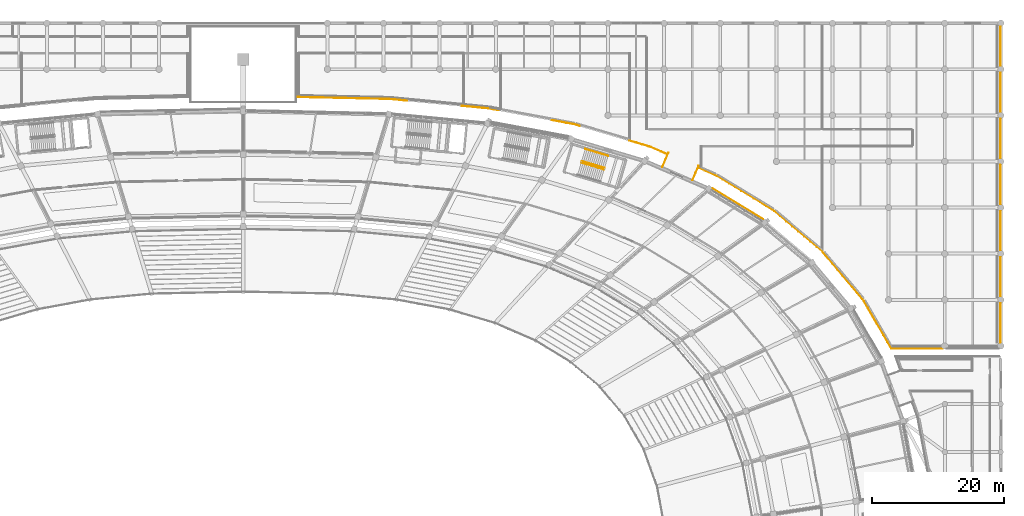
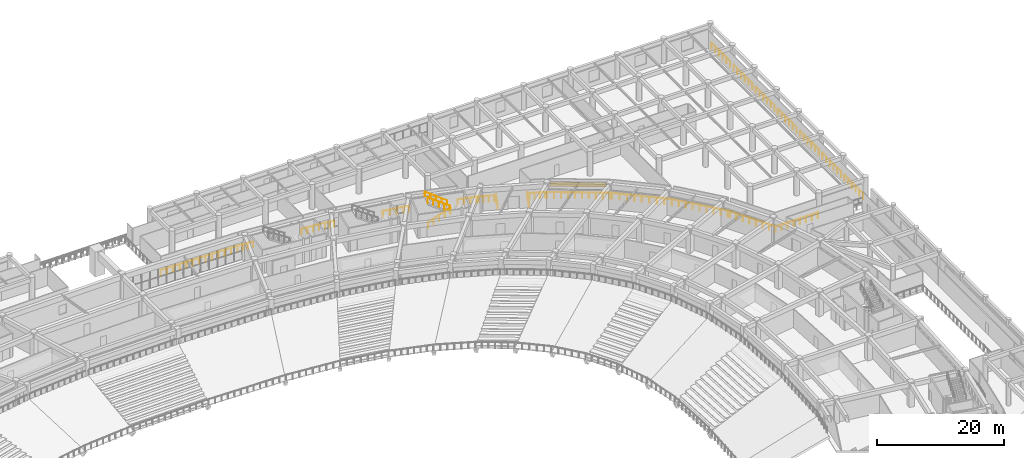
# One storey, part 152 of 152: 18 railings, 1 covering.
"""IFC4 building model written with IfcOpenShell, lengths in metres."""

from ifc_helpers import new_model, si_unit, direction, frame, origin, origin_2d, place, context, subcontext, project, spatial, rectangle, circle, extrude, material, layer, layer_set, type_object, element, save


model = new_model("IFC4")

# Units and contexts
model_context = context("Model", 3, precision=1e-05, world=origin(), true_north=direction((0.0, 1.0)))
body_context = subcontext(model_context, "Body", "Model", "MODEL_VIEW")
ifc_project = project(units=[si_unit("LENGTHUNIT", "METRE"), si_unit("AREAUNIT", "SQUARE_METRE"), si_unit("VOLUMEUNIT", "CUBIC_METRE"), si_unit("PLANEANGLEUNIT", "RADIAN"), si_unit("MASSUNIT", "GRAM", prefix="KILO")], contexts=[model_context])

# Site, building, storey
site_placement = place(None, origin())
site = spatial("IfcSite", under=ifc_project, at=site_placement, CompositionType="ELEMENT")
building_placement = place(site_placement, origin())
building = spatial("IfcBuilding", under=site, at=building_placement, Name="Mphavela Belvedere Stadium", CompositionType="ELEMENT")
storey_placement = place(building_placement, frame((0.0, 0.0, 5.39990234375)))
storey = spatial("IfcBuildingStorey", under=building, at=storey_placement, Name="L01", CompositionType="ELEMENT", Elevation=5.39990234375)

# Covering
ifc_material_1 = material(Name="Carved classical limestone entablature frieze cladding", Category="masonry")
ifc_layer = layer(ifc_material_1, 0.06005859375)
ifc_layer_set = layer_set([ifc_layer], Name="Carved classical limestone entablature frieze cladding")
covering_type = type_object("IfcCoveringType", Name="COV-FRIEZE-CLAD", PredefinedType="CLADDING", material=ifc_layer_set)
covering_placement = place(storey_placement, frame((190.09228515625, 146.56103515625, 3.594970703125), z_axis=(0.0, 0.0, 1.0), x_axis=(-0.854368143929, 0.519668235165, 0.0)))
element("IfcCovering", 1, at=covering_placement, inside=storey, type_object=covering_type, Name="Classical entablature frieze cladding L01-07", PredefinedType="CLADDING", context=body_context, shape_type="SweptSolid", body=[
    extrude(rectangle(XDim=8.955810546875, YDim=0.06005859375, at=origin_2d()), origin(), (0.0, 0.0, 1.0), 0.85009765625),
])

# Railings
ifc_material_2 = material(Name="Bronze and laminated glass stadium balustrade", Category="glass")
railing_type_1 = type_object("IfcRailingType", Name="RAL-BALUSTRADE-1120", PredefinedType="BALUSTRADE", material=ifc_material_2)
railing_1_placement = place(storey_placement, frame((183.190185546875, 150.165283203125, 0.0)))
element("IfcRailing", 2, at=railing_1_placement, inside=storey, type_object=railing_type_1, Name="Colonnade link bridge balustrade L01-08A", PredefinedType="BALUSTRADE", context=body_context, shape_type="SweptSolid", body=[
    extrude(circle(Radius=0.02392578125, at=origin_2d()), frame((0.0, 0.0, 1.09619140625), z_axis=(0.397802772945, 0.91747095531, 0.0), x_axis=(-0.91747095531, 0.397802772945, 0.0)), (0.0, 0.0, 1.0), 2.349853515625),
    extrude(circle(Radius=0.02099609375, at=origin_2d()), origin(), (0.0, 0.0, 1.0), 1.072021484375),
    extrude(circle(Radius=0.02099609375, at=origin_2d()), frame((0.46728515625, 1.078125, 0.0)), (0.0, 0.0, 1.0), 1.072021484375),
    extrude(circle(Radius=0.02099609375, at=origin_2d()), frame((0.934814453125, 2.156005859375, 0.0)), (0.0, 0.0, 1.0), 1.072021484375),
])
railing_2_placement = place(storey_placement, frame((178.602783203125, 152.15380859375, 0.0)))
element("IfcRailing", 3, at=railing_2_placement, inside=storey, type_object=railing_type_1, Name="Colonnade link bridge balustrade L01-08B", PredefinedType="BALUSTRADE", context=body_context, shape_type="SweptSolid", body=[
    extrude(circle(Radius=0.02392578125, at=origin_2d()), frame((0.0, 0.0, 1.09619140625), z_axis=(0.397677406785, 0.917525302176, 0.0), x_axis=(-0.917525302176, 0.397677406785, 0.0)), (0.0, 0.0, 1.0), 2.35009765625),
    extrude(circle(Radius=0.02099609375, at=origin_2d()), origin(), (0.0, 0.0, 1.0), 1.072021484375),
    extrude(circle(Radius=0.02099609375, at=origin_2d()), frame((0.46728515625, 1.078125, 0.0)), (0.0, 0.0, 1.0), 1.072021484375),
    extrude(circle(Radius=0.02099609375, at=origin_2d()), frame((0.9345703125, 2.15625, 0.0)), (0.0, 0.0, 1.0), 1.072021484375),
])
railing_3_placement = place(storey_placement, frame((209.21630859375, 131.802734375, 0.0)))
element("IfcRailing", 4, at=railing_3_placement, inside=storey, type_object=railing_type_1, Name="Peristyle wing gallery edge balustrade L01-25", PredefinedType="BALUSTRADE", context=body_context, shape_type="SweptSolid", body=[
    extrude(circle(Radius=0.02392578125, at=origin_2d()), frame((0.0, 0.0, 1.09619140625), z_axis=(-0.574803044169, 0.818291794175, 0.0), x_axis=(-0.818291794175, -0.574803044169, 0.0)), (0.0, 0.0, 1.0), 0.403076171875),
    extrude(circle(Radius=0.02392578125, at=origin_2d()), frame((-0.231689453125, 0.329833984375, 1.09619140625), z_axis=(-0.645828572559, 0.763482452232, 0.0), x_axis=(-0.763482452232, -0.645828572559, 0.0)), (0.0, 0.0, 1.0), 9.33984375),
    extrude(circle(Radius=0.02392578125, at=origin_2d()), frame((-6.263671875, 7.460693359375, 1.09619140625), z_axis=(-0.763694016731, 0.645578383164, 0.0), x_axis=(-0.645578383164, -0.763694016731, 0.0)), (0.0, 0.0, 1.0), 9.596923828125),
    extrude(circle(Radius=0.02392578125, at=origin_2d()), frame((-13.5927734375, 13.65625, 1.09619140625), z_axis=(-0.81202574752, 0.583621611462, 0.0), x_axis=(-0.583621611462, -0.81202574752, 0.0)), (0.0, 0.0, 1.0), 0.348388671875),
    extrude(circle(Radius=0.02392578125, at=origin_2d()), frame((-13.875732421875, 13.859619140625, 1.09619140625), z_axis=(-0.854333268174, 0.519725568826, 0.0), x_axis=(-0.519725568826, -0.854333268174, 0.0)), (0.0, 0.0, 1.0), 9.90185546875),
    extrude(circle(Radius=0.02392578125, at=origin_2d()), frame((-22.335205078125, 19.005859375, 1.09619140625), z_axis=(-0.887624752967, 0.460567365236, 0.0), x_axis=(-0.460567365236, -0.887624752967, 0.0)), (0.0, 0.0, 1.0), 0.313232421875),
    extrude(circle(Radius=0.02392578125, at=origin_2d()), frame((-22.61328125, 19.150146484375, 1.09619140625), z_axis=(-0.917490104343, 0.397758605731, 0.0), x_axis=(-0.397758605731, -0.917490104343, 0.0)), (0.0, 0.0, 1.0), 2.5380859375),
    extrude(circle(Radius=0.02099609375, at=origin_2d()), origin(), (0.0, 0.0, 1.0), 1.072021484375),
    extrude(circle(Radius=0.02099609375, at=origin_2d()), frame((-0.231689453125, 0.329833984375, 0.0)), (0.0, 0.0, 1.0), 1.072021484375),
    extrude(circle(Radius=0.02099609375, at=origin_2d()), frame((-0.985595703125, 1.22119140625, 0.0)), (0.0, 0.0, 1.0), 1.072021484375),
    extrude(circle(Radius=0.02099609375, at=origin_2d()), frame((-1.73974609375, 2.112548828125, 0.0)), (0.0, 0.0, 1.0), 1.072021484375),
    extrude(circle(Radius=0.02099609375, at=origin_2d()), frame((-2.49365234375, 3.00390625, 0.0)), (0.0, 0.0, 1.0), 1.072021484375),
    extrude(circle(Radius=0.02099609375, at=origin_2d()), frame((-3.24755859375, 3.895263671875, 0.0)), (0.0, 0.0, 1.0), 1.072021484375),
    extrude(circle(Radius=0.02099609375, at=origin_2d()), frame((-4.001708984375, 4.78662109375, 0.0)), (0.0, 0.0, 1.0), 1.072021484375),
    extrude(circle(Radius=0.02099609375, at=origin_2d()), frame((-4.755615234375, 5.677978515625, 0.0)), (0.0, 0.0, 1.0), 1.072021484375),
    extrude(circle(Radius=0.02099609375, at=origin_2d()), frame((-5.509765625, 6.5693359375, 0.0)), (0.0, 0.0, 1.0), 1.072021484375),
    extrude(circle(Radius=0.02099609375, at=origin_2d()), frame((-6.263671875, 7.460693359375, 0.0)), (0.0, 0.0, 1.0), 1.072021484375),
    extrude(circle(Radius=0.02099609375, at=origin_2d()), frame((-7.1796875, 8.235107421875, 0.0)), (0.0, 0.0, 1.0), 1.072021484375),
    extrude(circle(Radius=0.02099609375, at=origin_2d()), frame((-8.095947265625, 9.009521484375, 0.0)), (0.0, 0.0, 1.0), 1.072021484375),
    extrude(circle(Radius=0.02099609375, at=origin_2d()), frame((-9.01220703125, 9.783935546875, 0.0)), (0.0, 0.0, 1.0), 1.072021484375),
    extrude(circle(Radius=0.02099609375, at=origin_2d()), frame((-9.92822265625, 10.55859375, 0.0)), (0.0, 0.0, 1.0), 1.072021484375),
    extrude(circle(Radius=0.02099609375, at=origin_2d()), frame((-10.84423828125, 11.3330078125, 0.0)), (0.0, 0.0, 1.0), 1.072021484375),
    extrude(circle(Radius=0.02099609375, at=origin_2d()), frame((-11.760498046875, 12.107421875, 0.0)), (0.0, 0.0, 1.0), 1.072021484375),
    extrude(circle(Radius=0.02099609375, at=origin_2d()), frame((-12.6767578125, 12.8818359375, 0.0)), (0.0, 0.0, 1.0), 1.072021484375),
    extrude(circle(Radius=0.02099609375, at=origin_2d()), frame((-13.5927734375, 13.65625, 0.0)), (0.0, 0.0, 1.0), 1.072021484375),
    extrude(circle(Radius=0.02099609375, at=origin_2d()), frame((-13.875732421875, 13.859619140625, 0.0)), (0.0, 0.0, 1.0), 1.072021484375),
    extrude(circle(Radius=0.02099609375, at=origin_2d()), frame((-14.815673828125, 14.431396484375, 0.0)), (0.0, 0.0, 1.0), 1.072021484375),
    extrude(circle(Radius=0.02099609375, at=origin_2d()), frame((-15.755615234375, 15.003173828125, 0.0)), (0.0, 0.0, 1.0), 1.072021484375),
    extrude(circle(Radius=0.02099609375, at=origin_2d()), frame((-16.695556640625, 15.574951171875, 0.0)), (0.0, 0.0, 1.0), 1.072021484375),
    extrude(circle(Radius=0.02099609375, at=origin_2d()), frame((-17.635498046875, 16.146728515625, 0.0)), (0.0, 0.0, 1.0), 1.072021484375),
    extrude(circle(Radius=0.02099609375, at=origin_2d()), frame((-18.575439453125, 16.71875, 0.0)), (0.0, 0.0, 1.0), 1.072021484375),
    extrude(circle(Radius=0.02099609375, at=origin_2d()), frame((-19.515380859375, 17.29052734375, 0.0)), (0.0, 0.0, 1.0), 1.072021484375),
    extrude(circle(Radius=0.02099609375, at=origin_2d()), frame((-20.455322265625, 17.8623046875, 0.0)), (0.0, 0.0, 1.0), 1.072021484375),
    extrude(circle(Radius=0.02099609375, at=origin_2d()), frame((-21.395263671875, 18.43408203125, 0.0)), (0.0, 0.0, 1.0), 1.072021484375),
    extrude(circle(Radius=0.02099609375, at=origin_2d()), frame((-22.335205078125, 19.005859375, 0.0)), (0.0, 0.0, 1.0), 1.072021484375),
    extrude(circle(Radius=0.02099609375, at=origin_2d()), frame((-22.61328125, 19.150146484375, 0.0)), (0.0, 0.0, 1.0), 1.072021484375),
    extrude(circle(Radius=0.02099609375, at=origin_2d()), frame((-23.389404296875, 19.486572265625, 0.0)), (0.0, 0.0, 1.0), 1.072021484375),
    extrude(circle(Radius=0.02099609375, at=origin_2d()), frame((-24.165771484375, 19.8232421875, 0.0)), (0.0, 0.0, 1.0), 1.072021484375),
    extrude(circle(Radius=0.02099609375, at=origin_2d()), frame((-24.94189453125, 20.15966796875, 0.0)), (0.0, 0.0, 1.0), 1.072021484375),
])
railing_4_placement = place(storey_placement, frame((179.173095703125, 154.173583984375, 0.0)))
element("IfcRailing", 5, at=railing_4_placement, inside=storey, type_object=railing_type_1, Name="Peristyle wing gallery edge balustrade L01-26", PredefinedType="BALUSTRADE", context=body_context, shape_type="SweptSolid", body=[
    extrude(circle(Radius=0.02392578125, at=origin_2d()), frame((0.0, 0.0, 1.09619140625), z_axis=(-0.917490104343, 0.397758605731, 0.0), x_axis=(-0.397758605731, -0.917490104343, 0.0)), (0.0, 0.0, 1.0), 2.5380859375),
    extrude(circle(Radius=0.02392578125, at=origin_2d()), frame((-2.32861328125, 1.009521484375, 1.09619140625), z_axis=(-0.939740596708, 0.341888301786, 0.0), x_axis=(-0.341888301786, -0.939740596708, 0.0)), (0.0, 0.0, 1.0), 0.27001953125),
    extrude(circle(Radius=0.02392578125, at=origin_2d()), frame((-2.582275390625, 1.101806640625, 1.09619140625), z_axis=(-0.958628081437, 0.284661556028, 0.0), x_axis=(-0.284661556028, -0.958628081437, 0.0)), (0.0, 0.0, 1.0), 3.10302734375),
    extrude(circle(Radius=0.02099609375, at=origin_2d()), origin(), (0.0, 0.0, 1.0), 1.072021484375),
    extrude(circle(Radius=0.02099609375, at=origin_2d()), frame((-0.776123046875, 0.33642578125, 0.0)), (0.0, 0.0, 1.0), 1.072021484375),
    extrude(circle(Radius=0.02099609375, at=origin_2d()), frame((-1.552490234375, 0.673095703125, 0.0)), (0.0, 0.0, 1.0), 1.072021484375),
    extrude(circle(Radius=0.02099609375, at=origin_2d()), frame((-2.32861328125, 1.009521484375, 0.0)), (0.0, 0.0, 1.0), 1.072021484375),
    extrude(circle(Radius=0.02099609375, at=origin_2d()), frame((-2.582275390625, 1.101806640625, 0.0)), (0.0, 0.0, 1.0), 1.072021484375),
    extrude(circle(Radius=0.02099609375, at=origin_2d()), frame((-3.57373046875, 1.396240234375, 0.0)), (0.0, 0.0, 1.0), 1.072021484375),
    extrude(circle(Radius=0.02099609375, at=origin_2d()), frame((-4.5654296875, 1.690673828125, 0.0)), (0.0, 0.0, 1.0), 1.072021484375),
    extrude(circle(Radius=0.02099609375, at=origin_2d()), frame((-5.556884765625, 1.985107421875, 0.0)), (0.0, 0.0, 1.0), 1.072021484375),
])
railing_5_placement = place(storey_placement, frame((166.094970703125, 158.39111328125, 0.0)))
element("IfcRailing", 6, at=railing_5_placement, inside=storey, type_object=railing_type_1, Name="Peristyle wing gallery edge balustrade L01-27", PredefinedType="BALUSTRADE", context=body_context, shape_type="SweptSolid", body=[
    extrude(circle(Radius=0.02392578125, at=origin_2d()), frame((0.0, 0.0, 1.09619140625), z_axis=(-0.96248917912, 0.271320069434, 0.0), x_axis=(-0.271320069434, -0.96248917912, 0.0)), (0.0, 0.0, 1.0), 0.91064453125),
    extrude(circle(Radius=0.02392578125, at=origin_2d()), frame((-0.87646484375, 0.2470703125, 1.09619140625), z_axis=(-0.983089595219, 0.183125224291, 0.0), x_axis=(-0.183125224291, -0.983089595219, 0.0)), (0.0, 0.0, 1.0), 3.459716796875),
    extrude(circle(Radius=0.02099609375, at=origin_2d()), origin(), (0.0, 0.0, 1.0), 1.072021484375),
    extrude(circle(Radius=0.02099609375, at=origin_2d()), frame((-0.87646484375, 0.2470703125, 0.0)), (0.0, 0.0, 1.0), 1.072021484375),
    extrude(circle(Radius=0.02099609375, at=origin_2d()), frame((-2.01025390625, 0.458251953125, 0.0)), (0.0, 0.0, 1.0), 1.072021484375),
    extrude(circle(Radius=0.02099609375, at=origin_2d()), frame((-3.143798828125, 0.66943359375, 0.0)), (0.0, 0.0, 1.0), 1.072021484375),
    extrude(circle(Radius=0.02099609375, at=origin_2d()), frame((-4.277587890625, 0.880615234375, 0.0)), (0.0, 0.0, 1.0), 1.072021484375),
])
railing_6_placement = place(storey_placement, frame((153.787109375, 160.767333984375, 0.0)))
element("IfcRailing", 7, at=railing_6_placement, inside=storey, type_object=railing_type_1, Name="Peristyle wing gallery edge balustrade L01-28", PredefinedType="BALUSTRADE", context=body_context, shape_type="SweptSolid", body=[
    extrude(circle(Radius=0.02392578125, at=origin_2d()), frame((0.0, 0.0, 1.09619140625), z_axis=(-0.984163739647, 0.177261765658, 0.0), x_axis=(-0.177261765658, -0.984163739647, 0.0)), (0.0, 0.0, 1.0), 1.52197265625),
    extrude(circle(Radius=0.02392578125, at=origin_2d()), frame((-1.497802734375, 0.269775390625, 1.09619140625), z_axis=(-0.995482726016, 0.094942836503, 0.0), x_axis=(-0.094942836503, -0.995482726016, 0.0)), (0.0, 0.0, 1.0), 4.135009765625),
    extrude(circle(Radius=0.02099609375, at=origin_2d()), origin(), (0.0, 0.0, 1.0), 1.072021484375),
    extrude(circle(Radius=0.02099609375, at=origin_2d()), frame((-0.7490234375, 0.134765625, 0.0)), (0.0, 0.0, 1.0), 1.072021484375),
    extrude(circle(Radius=0.02099609375, at=origin_2d()), frame((-1.497802734375, 0.269775390625, 0.0)), (0.0, 0.0, 1.0), 1.072021484375),
    extrude(circle(Radius=0.02099609375, at=origin_2d()), frame((-2.52685546875, 0.367919921875, 0.0)), (0.0, 0.0, 1.0), 1.072021484375),
    extrude(circle(Radius=0.02099609375, at=origin_2d()), frame((-3.555908203125, 0.466064453125, 0.0)), (0.0, 0.0, 1.0), 1.072021484375),
    extrude(circle(Radius=0.02099609375, at=origin_2d()), frame((-4.5849609375, 0.564208984375, 0.0)), (0.0, 0.0, 1.0), 1.072021484375),
    extrude(circle(Radius=0.02099609375, at=origin_2d()), frame((-5.614013671875, 0.662353515625, 0.0)), (0.0, 0.0, 1.0), 1.072021484375),
])
railing_7_placement = place(storey_placement, frame((139.838134765625, 162.224609375, 0.0)))
element("IfcRailing", 8, at=railing_7_placement, inside=storey, type_object=railing_type_1, Name="Peristyle wing gallery edge balustrade L01-29", PredefinedType="BALUSTRADE", context=body_context, shape_type="SweptSolid", body=[
    extrude(circle(Radius=0.02392578125, at=origin_2d()), frame((0.0, 0.0, 1.09619140625), z_axis=(-0.995701021034, 0.09262546471, 0.0), x_axis=(-0.09262546471, -0.995701021034, 0.0)), (0.0, 0.0, 1.0), 2.685791015625),
    extrude(circle(Radius=0.02392578125, at=origin_2d()), frame((-2.67431640625, 0.248779296875, 1.09619140625), z_axis=(-0.999768449316, 0.021518544383, 0.0), x_axis=(-0.021518544383, -0.999768449316, 0.0)), (0.0, 0.0, 1.0), 13.886962890625),
    extrude(circle(Radius=0.02099609375, at=origin_2d()), origin(), (0.0, 0.0, 1.0), 1.072021484375),
    extrude(circle(Radius=0.02099609375, at=origin_2d()), frame((-0.891357421875, 0.0830078125, 0.0)), (0.0, 0.0, 1.0), 1.072021484375),
    extrude(circle(Radius=0.02099609375, at=origin_2d()), frame((-1.782958984375, 0.165771484375, 0.0)), (0.0, 0.0, 1.0), 1.072021484375),
    extrude(circle(Radius=0.02099609375, at=origin_2d()), frame((-2.67431640625, 0.248779296875, 0.0)), (0.0, 0.0, 1.0), 1.072021484375),
    extrude(circle(Radius=0.02099609375, at=origin_2d()), frame((-3.831298828125, 0.273681640625, 0.0)), (0.0, 0.0, 1.0), 1.072021484375),
    extrude(circle(Radius=0.02099609375, at=origin_2d()), frame((-4.98828125, 0.298583984375, 0.0)), (0.0, 0.0, 1.0), 1.072021484375),
    extrude(circle(Radius=0.02099609375, at=origin_2d()), frame((-6.145263671875, 0.323486328125, 0.0)), (0.0, 0.0, 1.0), 1.072021484375),
    extrude(circle(Radius=0.02099609375, at=origin_2d()), frame((-7.30224609375, 0.348388671875, 0.0)), (0.0, 0.0, 1.0), 1.072021484375),
    extrude(circle(Radius=0.02099609375, at=origin_2d()), frame((-8.459228515625, 0.373291015625, 0.0)), (0.0, 0.0, 1.0), 1.072021484375),
    extrude(circle(Radius=0.02099609375, at=origin_2d()), frame((-9.6162109375, 0.398193359375, 0.0)), (0.0, 0.0, 1.0), 1.072021484375),
    extrude(circle(Radius=0.02099609375, at=origin_2d()), frame((-10.773193359375, 0.423095703125, 0.0)), (0.0, 0.0, 1.0), 1.072021484375),
    extrude(circle(Radius=0.02099609375, at=origin_2d()), frame((-11.93017578125, 0.447998046875, 0.0)), (0.0, 0.0, 1.0), 1.072021484375),
    extrude(circle(Radius=0.02099609375, at=origin_2d()), frame((-13.087158203125, 0.472900390625, 0.0)), (0.0, 0.0, 1.0), 1.072021484375),
    extrude(circle(Radius=0.02099609375, at=origin_2d()), frame((-14.244140625, 0.497802734375, 0.0)), (0.0, 0.0, 1.0), 1.072021484375),
    extrude(circle(Radius=0.02099609375, at=origin_2d()), frame((-15.401123046875, 0.522705078125, 0.0)), (0.0, 0.0, 1.0), 1.072021484375),
    extrude(circle(Radius=0.02099609375, at=origin_2d()), frame((-16.55810546875, 0.547607421875, 0.0)), (0.0, 0.0, 1.0), 1.072021484375),
])
for number, where, name in (
    (9, (229.919921875, 173.45654296875, 0.0), "Peristyle wing gallery edge balustrade L01-45"),
    (10, (229.919921875, 166.45654296875, 0.0), "Peristyle wing gallery edge balustrade L01-46"),
    (11, (229.919921875, 159.45654296875, 0.0), "Peristyle wing gallery edge balustrade L01-47"),
    (12, (229.919921875, 152.45654296875, 0.0), "Peristyle wing gallery edge balustrade L01-48"),
    (13, (229.919921875, 145.45654296875, 0.0), "Peristyle wing gallery edge balustrade L01-49"),
    (14, (229.919921875, 138.45654296875, 0.0), "Peristyle wing gallery edge balustrade L01-50"),
    (15, (229.919921875, 131.45654296875, 0.0), "Peristyle wing gallery edge balustrade L01-51"),
):
    element("IfcRailing", number, at=place(storey_placement, frame(where)), inside=storey, type_object=railing_type_1, Name=name, PredefinedType="BALUSTRADE", context=body_context, shape_type="SweptSolid", body=[
        extrude(circle(Radius=0.02392578125, at=origin_2d()), frame((0.0, 0.0, 1.09619140625), z_axis=(0.0, -1.0, 0.0), x_axis=(1.0, 0.0, 0.0)), (0.0, 0.0, 1.0), 5.9130859375),
        extrude(circle(Radius=0.02099609375, at=origin_2d()), origin(), (0.0, 0.0, 1.0), 1.072021484375),
        extrude(circle(Radius=0.02099609375, at=origin_2d()), frame((0.0, -1.1826171875, 0.0)), (0.0, 0.0, 1.0), 1.072021484375),
        extrude(circle(Radius=0.02099609375, at=origin_2d()), frame((0.0, -2.365234375, 0.0)), (0.0, 0.0, 1.0), 1.072021484375),
        extrude(circle(Radius=0.02099609375, at=origin_2d()), frame((0.0, -3.5478515625, 0.0)), (0.0, 0.0, 1.0), 1.072021484375),
        extrude(circle(Radius=0.02099609375, at=origin_2d()), frame((0.0, -4.73046875, 0.0)), (0.0, 0.0, 1.0), 1.072021484375),
        extrude(circle(Radius=0.02099609375, at=origin_2d()), frame((0.0, -5.9130859375, 0.0)), (0.0, 0.0, 1.0), 1.072021484375),
    ])
railing_8_placement = place(storey_placement, frame((221.12646484375, 124.580078125, 0.0)))
element("IfcRailing", 16, at=railing_8_placement, inside=storey, type_object=railing_type_1, Name="Peristyle wing gallery edge balustrade L01-53", PredefinedType="BALUSTRADE", context=body_context, shape_type="SweptSolid", body=[
    extrude(circle(Radius=0.02392578125, at=origin_2d()), frame((0.0, 0.0, 1.09619140625), z_axis=(-1.0, 0.0, 0.0), x_axis=(0.0, -1.0, 0.0)), (0.0, 0.0, 1.0), 7.73388671875),
    extrude(circle(Radius=0.02392578125, at=origin_2d()), frame((-7.73388671875, 0.0, 1.09619140625), z_axis=(-0.500563261308, 0.865699960396, 0.0), x_axis=(-0.865699960396, -0.500563261308, 0.0)), (0.0, 0.0, 1.0), 8.34326171875),
    extrude(circle(Radius=0.02099609375, at=origin_2d()), origin(), (0.0, 0.0, 1.0), 1.072021484375),
    extrude(circle(Radius=0.02099609375, at=origin_2d()), frame((-1.104736328125, 0.0, 0.0)), (0.0, 0.0, 1.0), 1.072021484375),
    extrude(circle(Radius=0.02099609375, at=origin_2d()), frame((-2.209716796875, 0.0, 0.0)), (0.0, 0.0, 1.0), 1.072021484375),
    extrude(circle(Radius=0.02099609375, at=origin_2d()), frame((-3.314453125, 0.0, 0.0)), (0.0, 0.0, 1.0), 1.072021484375),
    extrude(circle(Radius=0.02099609375, at=origin_2d()), frame((-4.41943359375, 0.0, 0.0)), (0.0, 0.0, 1.0), 1.072021484375),
    extrude(circle(Radius=0.02099609375, at=origin_2d()), frame((-5.524169921875, 0.0, 0.0)), (0.0, 0.0, 1.0), 1.072021484375),
    extrude(circle(Radius=0.02099609375, at=origin_2d()), frame((-6.629150390625, 0.0, 0.0)), (0.0, 0.0, 1.0), 1.072021484375),
    extrude(circle(Radius=0.02099609375, at=origin_2d()), frame((-7.73388671875, 0.0, 0.0)), (0.0, 0.0, 1.0), 1.072021484375),
    extrude(circle(Radius=0.02099609375, at=origin_2d()), frame((-8.33056640625, 1.03173828125, 0.0)), (0.0, 0.0, 1.0), 1.072021484375),
    extrude(circle(Radius=0.02099609375, at=origin_2d()), frame((-8.927001953125, 2.063720703125, 0.0)), (0.0, 0.0, 1.0), 1.072021484375),
    extrude(circle(Radius=0.02099609375, at=origin_2d()), frame((-9.523681640625, 3.095458984375, 0.0)), (0.0, 0.0, 1.0), 1.072021484375),
    extrude(circle(Radius=0.02099609375, at=origin_2d()), frame((-10.120361328125, 4.127197265625, 0.0)), (0.0, 0.0, 1.0), 1.072021484375),
    extrude(circle(Radius=0.02099609375, at=origin_2d()), frame((-10.717041015625, 5.158935546875, 0.0)), (0.0, 0.0, 1.0), 1.072021484375),
    extrude(circle(Radius=0.02099609375, at=origin_2d()), frame((-11.3134765625, 6.19091796875, 0.0)), (0.0, 0.0, 1.0), 1.072021484375),
    extrude(circle(Radius=0.02099609375, at=origin_2d()), frame((-11.91015625, 7.22265625, 0.0)), (0.0, 0.0, 1.0), 1.072021484375),
])
ifc_material_3 = material(Name="Painted galvanised steel stair guardrail", Category="steel")
railing_type_2 = type_object("IfcRailingType", Name="RAL-GUARD-1120", PredefinedType="GUARDRAIL", material=ifc_material_3)
railing_9_placement = place(storey_placement, frame((166.296875, 152.803955078125, 0.184814453125)))
element("IfcRailing", 17, at=railing_9_placement, inside=storey, type_object=railing_type_2, Name="L01 ST-P01 stair guard 1", PredefinedType="GUARDRAIL", context=body_context, shape_type="SweptSolid", body=[
    extrude(circle(Radius=0.02392578125, at=origin_2d()), frame((0.0, 0.0, 1.09619140625), z_axis=(0.817964661284, -0.242728182461, 0.521552339013), x_axis=(0.284485108536, 0.958680459288, 0.0)), (0.0, 0.0, 1.0), 4.24755859375),
    extrude(circle(Radius=0.02099609375, at=origin_2d()), origin(), (0.0, 0.0, 1.0), 1.072021484375),
    extrude(circle(Radius=0.02099609375, at=origin_2d()), frame((0.86865234375, -0.2578125, 0.5537109375)), (0.0, 0.0, 1.0), 1.072021484375),
    extrude(circle(Radius=0.02099609375, at=origin_2d()), frame((1.7373046875, -0.515625, 1.107666015625)), (0.0, 0.0, 1.0), 1.072021484375),
    extrude(circle(Radius=0.02099609375, at=origin_2d()), frame((2.605712890625, -0.773193359375, 1.66162109375)), (0.0, 0.0, 1.0), 1.072021484375),
    extrude(circle(Radius=0.02099609375, at=origin_2d()), frame((3.474365234375, -1.031005859375, 2.21533203125)), (0.0, 0.0, 1.0), 1.072021484375),
])
railing_10_placement = place(storey_placement, frame((169.84228515625, 152.0126953125, 2.584716796875)))
element("IfcRailing", 18, at=railing_10_placement, inside=storey, type_object=railing_type_2, Name="L01 ST-P01 stair guard 3", PredefinedType="GUARDRAIL", context=body_context, shape_type="SweptSolid", body=[
    extrude(circle(Radius=0.02392578125, at=origin_2d()), frame((0.0, 0.0, 1.09619140625), z_axis=(-0.817945638639, 0.242739594657, 0.521576860507), x_axis=(-0.284503482323, -0.958675006739, 0.0)), (0.0, 0.0, 1.0), 4.247314453125),
    extrude(circle(Radius=0.02099609375, at=origin_2d()), origin(), (0.0, 0.0, 1.0), 1.072021484375),
    extrude(circle(Radius=0.02099609375, at=origin_2d()), frame((-0.86865234375, 0.2578125, 0.5537109375)), (0.0, 0.0, 1.0), 1.072021484375),
    extrude(circle(Radius=0.02099609375, at=origin_2d()), frame((-1.737060546875, 0.515625, 1.107666015625)), (0.0, 0.0, 1.0), 1.072021484375),
    extrude(circle(Radius=0.02099609375, at=origin_2d()), frame((-2.60546875, 0.773193359375, 1.66162109375)), (0.0, 0.0, 1.0), 1.072021484375),
    extrude(circle(Radius=0.02099609375, at=origin_2d()), frame((-3.47412109375, 1.031005859375, 2.21533203125)), (0.0, 0.0, 1.0), 1.072021484375),
])
ifc_material_4 = material(Name="Brushed stainless steel tubular handrail", Category="steel")
railing_type_3 = type_object("IfcRailingType", Name="RAL-HANDRAIL-900", PredefinedType="HANDRAIL", material=ifc_material_4)
railing_11_placement = place(storey_placement, frame((170.388427734375, 153.853271484375, 2.584716796875)))
element("IfcRailing", 19, at=railing_11_placement, inside=storey, type_object=railing_type_3, Name="L01 ST-P01 stair handrail 2", PredefinedType="HANDRAIL", context=body_context, shape_type="SweptSolid", body=[
    extrude(circle(Radius=0.02392578125, at=origin_2d()), frame((0.0, 0.0, 0.8759765625), z_axis=(-0.817945638639, 0.242739594657, 0.521576860507), x_axis=(-0.284503482323, -0.958675006739, 0.0)), (0.0, 0.0, 1.0), 4.247314453125),
    extrude(circle(Radius=0.02099609375, at=origin_2d()), origin(), (0.0, 0.0, 1.0), 0.851806640625),
    extrude(circle(Radius=0.02099609375, at=origin_2d()), frame((-0.86865234375, 0.2578125, 0.5537109375)), (0.0, 0.0, 1.0), 0.851806640625),
    extrude(circle(Radius=0.02099609375, at=origin_2d()), frame((-1.737060546875, 0.515625, 1.107666015625)), (0.0, 0.0, 1.0), 0.851806640625),
    extrude(circle(Radius=0.02099609375, at=origin_2d()), frame((-2.60546875, 0.773193359375, 1.66162109375)), (0.0, 0.0, 1.0), 0.851806640625),
    extrude(circle(Radius=0.02099609375, at=origin_2d()), frame((-3.47412109375, 1.031005859375, 2.21533203125)), (0.0, 0.0, 1.0), 0.851806640625),
])

save(model, "model.ifc")
